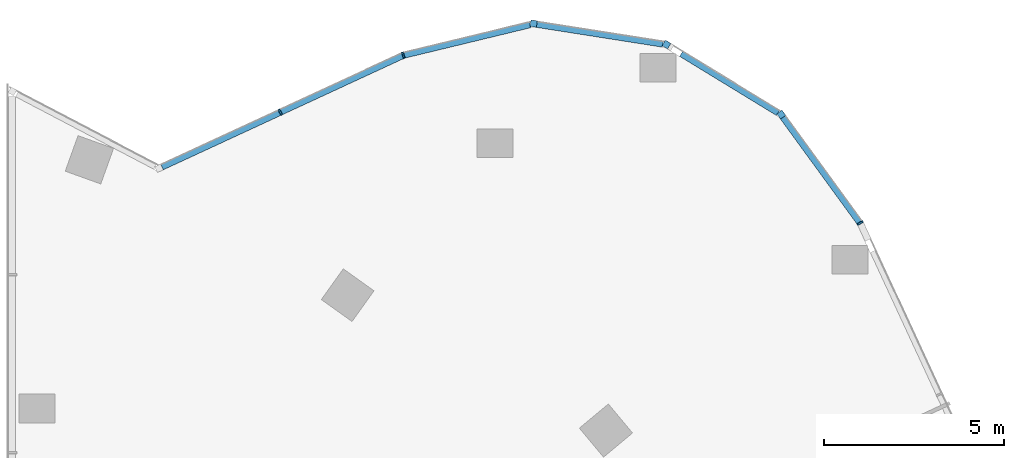
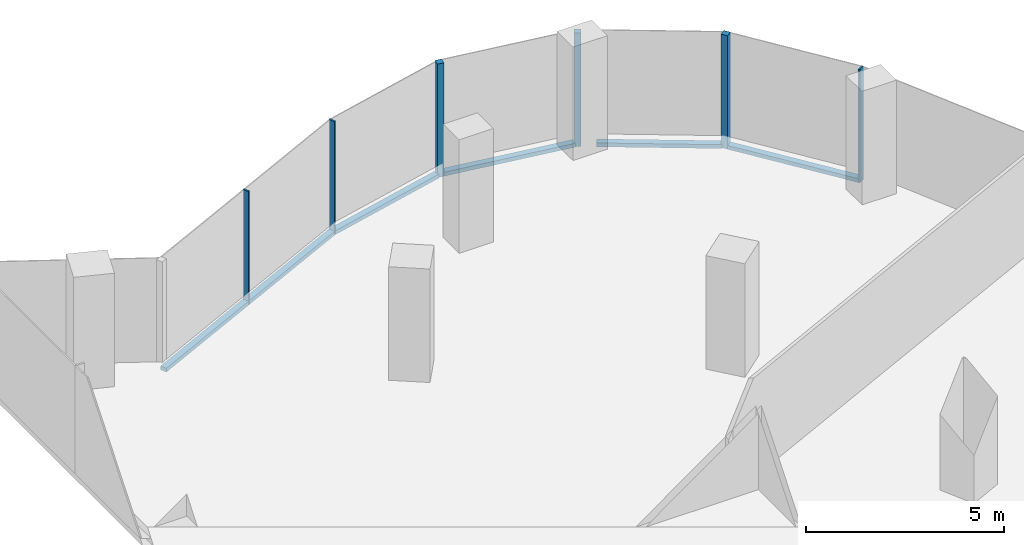
# One storey, part 11 of 23: 11 members, 6 elements without a shape of their own.
"""IFC4 building model written with IfcOpenShell, lengths in metres."""

from ifc_helpers import new_model, si_unit, direction, frame, origin, origin_2d, place, context, subcontext, project, spatial, rectangle, extrude, material, material_profile, profile_set, type_object, element, aggregate, save


model = new_model("IFC4")

# Units and contexts
model_context = context("Model", 3, precision=1e-05, world=origin(), true_north=direction((0.0, 1.0)))
body_context = subcontext(model_context, "Body", "Model", "MODEL_VIEW")
ifc_project = project(units=[si_unit("LENGTHUNIT", "METRE"), si_unit("AREAUNIT", "SQUARE_METRE"), si_unit("VOLUMEUNIT", "CUBIC_METRE"), si_unit("PLANEANGLEUNIT", "RADIAN"), si_unit("MASSUNIT", "GRAM", prefix="KILO")], contexts=[model_context])

# Site, building, storey
site_placement = place(None, origin())
site = spatial("IfcSite", under=ifc_project, at=site_placement, CompositionType="ELEMENT")
building_placement = place(site_placement, origin())
building = spatial("IfcBuilding", under=site, at=building_placement, Name="Orlundy Tower", CompositionType="ELEMENT")
storey_placement = place(building_placement, frame((0.0, 0.0, 264.0)))
storey = spatial("IfcBuildingStorey", under=building, at=storey_placement, Name="L70", CompositionType="ELEMENT", Elevation=264.0)

# Curtain wall, member
ifc_material_1 = material(Name="Aluminium bronze anodised", Category="aluminium")
curtain_wall_type = type_object("IfcCurtainWallType", Name="CW1 wall", PredefinedType="NOTDEFINED", material=ifc_material_1)
curtain_wall_1_placement = place(storey_placement, origin())
curtain_wall_1 = element("IfcCurtainWall", 1, at=curtain_wall_1_placement, inside=storey, type_object=curtain_wall_type, Name="CW1 run 12", PredefinedType="NOTDEFINED")
ifc_material_2 = material(Name="Aluminium bronze anodised", Category="aluminium")
ifc_material_profile_1 = material_profile(ifc_material_2, rectangle(XDim=0.179931640625, YDim=0.179931640625, at=origin_2d()), Name="CW1 corner post 180x180")
ifc_profile_set_1 = profile_set([ifc_material_profile_1], Name="Aluminium bronze anodised")
member_type_1 = type_object("IfcMemberType", Name="CW1 corner post 180x180", PredefinedType="MULLION", material=ifc_profile_set_1)
member_1_placement = place(storey_placement, frame((22.42529296875, 31.712646484375, -0.39990234375), z_axis=(0.0, 0.0, 1.0), x_axis=(0.15511748157, 0.987896030416, 0.0)))
member_1 = element("IfcMember", 2, at=member_1_placement, type_object=member_type_1, Name="CW1 mullion 4", PredefinedType="MULLION", context=body_context, shape_type="SweptSolid", body=[
    extrude(rectangle(XDim=0.179931640625, YDim=0.179931640625, at=origin_2d()), origin(), (0.0, 0.0, 1.0), 3.5),
])

curtain_wall_2_placement = place(storey_placement, origin())
curtain_wall_2 = element("IfcCurtainWall", 3, at=curtain_wall_2_placement, inside=storey, type_object=curtain_wall_type, Name="CW1 run 13", PredefinedType="NOTDEFINED")
member_2_placement = place(storey_placement, frame((26.12255859375, 31.132080078125, -0.39990234375), z_axis=(0.0, 0.0, 1.0), x_axis=(0.521144468768, 0.853468477843, 0.0)))
member_2 = element("IfcMember", 4, at=member_2_placement, type_object=member_type_1, Name="CW1 mullion 5", PredefinedType="MULLION", context=body_context, shape_type="SweptSolid", body=[
    extrude(rectangle(XDim=0.179931640625, YDim=0.179931640625, at=origin_2d()), origin(), (0.0, 0.0, 1.0), 3.5),
])

curtain_wall_3_placement = place(storey_placement, origin())
curtain_wall_3 = element("IfcCurtainWall", 5, at=curtain_wall_3_placement, inside=storey, type_object=curtain_wall_type, Name="CW1 run 14", PredefinedType="NOTDEFINED")
member_3_placement = place(storey_placement, frame((29.317138671875, 29.181396484375, -0.39990234375), z_axis=(0.0, 0.0, 1.0), x_axis=(0.80821081742, 0.588893262489, 0.0)))
member_3 = element("IfcMember", 6, at=member_3_placement, type_object=member_type_1, Name="CW1 mullion 6", PredefinedType="MULLION", context=body_context, shape_type="SweptSolid", body=[
    extrude(rectangle(XDim=0.179931640625, YDim=0.179931640625, at=origin_2d()), origin(), (0.0, 0.0, 1.0), 3.5),
])

curtain_wall_4_placement = place(storey_placement, origin())
curtain_wall_4 = element("IfcCurtainWall", 7, at=curtain_wall_4_placement, inside=storey, type_object=curtain_wall_type, Name="CW1 run 10", PredefinedType="NOTDEFINED")
ifc_material_3 = material(Name="Aluminium bronze anodised", Category="aluminium")
ifc_material_profile_2 = material_profile(ifc_material_3, rectangle(XDim=0.179931640625, YDim=0.050048828125, at=origin_2d()), Name="CW1 mullion 50x180")
ifc_profile_set_2 = profile_set([ifc_material_profile_2], Name="Aluminium bronze anodised")
member_type_2 = type_object("IfcMemberType", Name="CW1 mullion 50x180", PredefinedType="MULLION", material=ifc_profile_set_2)
member_4_placement = place(storey_placement, frame((15.37060546875, 29.250244140625, -0.39990234375), z_axis=(0.0, 0.0, 1.0), x_axis=(-0.419975748486, 0.907535327513, 0.0)))
member_4 = element("IfcMember", 8, at=member_4_placement, type_object=member_type_2, Name="CW1 mullion 2", PredefinedType="MULLION", context=body_context, shape_type="SweptSolid", body=[
    extrude(rectangle(XDim=0.179931640625, YDim=0.050048828125, at=origin_2d()), origin(), (0.0, 0.0, 1.0), 3.5),
])

curtain_wall_5_placement = place(storey_placement, origin())
curtain_wall_5 = element("IfcCurtainWall", 9, at=curtain_wall_5_placement, inside=storey, type_object=curtain_wall_type, Name="CW1 run 11", PredefinedType="NOTDEFINED")
member_5_placement = place(storey_placement, frame((18.796142578125, 30.83544921875, -0.39990234375), z_axis=(0.0, 0.0, 1.0), x_axis=(-0.329057666512, 0.944309828451, 0.0)))
member_5 = element("IfcMember", 10, at=member_5_placement, type_object=member_type_2, Name="CW1 mullion 3", PredefinedType="MULLION", context=body_context, shape_type="SweptSolid", body=[
    extrude(rectangle(XDim=0.179931640625, YDim=0.050048828125, at=origin_2d()), origin(), (0.0, 0.0, 1.0), 3.5),
])

curtain_wall_6_placement = place(storey_placement, origin())
curtain_wall_6 = element("IfcCurtainWall", 11, at=curtain_wall_6_placement, inside=storey, type_object=curtain_wall_type, Name="CW1 run 15", PredefinedType="NOTDEFINED")
member_6_placement = place(storey_placement, frame((31.515869140625, 26.163818359375, -0.39990234375), z_axis=(0.0, 0.0, 1.0), x_axis=(0.862024734365, 0.50686621247, 0.0)))
member_6 = element("IfcMember", 12, at=member_6_placement, type_object=member_type_2, Name="CW1 mullion 7", PredefinedType="MULLION", context=body_context, shape_type="SweptSolid", body=[
    extrude(rectangle(XDim=0.179931640625, YDim=0.050048828125, at=origin_2d()), origin(), (0.0, 0.0, 1.0), 3.5),
])
aggregate(curtain_wall_6, [member_6])

# Member
ifc_material_4 = material(Name="Aluminium bronze anodised", Category="aluminium")
ifc_material_profile_3 = material_profile(ifc_material_4, rectangle(XDim=0.179931640625, YDim=0.1201171875, at=origin_2d()), Name="CW1 transom 180x120")
ifc_profile_set_3 = profile_set([ifc_material_profile_3], Name="Aluminium bronze anodised")
member_type_3 = type_object("IfcMemberType", Name="CW1 transom 180x120", PredefinedType="USERDEFINED", material=ifc_profile_set_3)
member_7_placement = place(storey_placement, frame((12.0751953125, 27.72509765625, -0.340087890625), z_axis=(0.907528083861, 0.419991401107, 0.0), x_axis=(-0.419991401107, 0.907528083861, 0.0)))
member_7 = element("IfcMember", 13, at=member_7_placement, type_object=member_type_3, Name="CW1 transom", ObjectType="TRANSOM", PredefinedType="USERDEFINED", context=body_context, shape_type="SweptSolid", body=[
    extrude(rectangle(XDim=0.179931640625, YDim=0.1201171875, at=origin_2d()), origin(), (0.0, 0.0, 1.0), 7.380859375),
])

aggregate(curtain_wall_4, [member_4, member_7])

member_8_placement = place(storey_placement, frame((18.820556640625, 30.84130859375, -0.340087890625), z_axis=(0.972009843916, 0.23494012712, 0.0), x_axis=(-0.23494012712, 0.972009843916, 0.0)))
member_8 = element("IfcMember", 14, at=member_8_placement, type_object=member_type_3, Name="CW1 transom", ObjectType="TRANSOM", PredefinedType="USERDEFINED", context=body_context, shape_type="SweptSolid", body=[
    extrude(rectangle(XDim=0.179931640625, YDim=0.1201171875, at=origin_2d()), origin(), (0.0, 0.0, 1.0), 3.611083984375),
])

aggregate(curtain_wall_5, [member_5, member_8])

member_9_placement = place(storey_placement, frame((22.51416015625, 31.69873046875, -0.340087890625), z_axis=(0.987894570591, -0.155126778463, 0.0), x_axis=(0.155126778463, 0.987894570591, 0.0)))
member_9 = element("IfcMember", 15, at=member_9_placement, type_object=member_type_3, Name="CW1 transom", ObjectType="TRANSOM", PredefinedType="USERDEFINED", context=body_context, shape_type="SweptSolid", body=[
    extrude(rectangle(XDim=0.179931640625, YDim=0.1201171875, at=origin_2d()), origin(), (0.0, 0.0, 1.0), 3.55517578125),
])

aggregate(curtain_wall_1, [member_1, member_9])

member_10_placement = place(storey_placement, frame((26.534912109375, 30.88037109375, -0.340087890625), z_axis=(0.85346878169, -0.521143971164, 0.0), x_axis=(0.521143971164, 0.85346878169, 0.0)))
member_10 = element("IfcMember", 16, at=member_10_placement, type_object=member_type_3, Name="CW1 transom", ObjectType="TRANSOM", PredefinedType="USERDEFINED", context=body_context, shape_type="SweptSolid", body=[
    extrude(rectangle(XDim=0.179931640625, YDim=0.1201171875, at=origin_2d()), origin(), (0.0, 0.0, 1.0), 3.16259765625),
])

aggregate(curtain_wall_2, [member_2, member_10])

member_11_placement = place(storey_placement, frame((29.3701171875, 29.108642578125, -0.340087890625), z_axis=(0.588921607505, -0.808190163398, 0.0), x_axis=(0.808190163398, 0.588921607505, 0.0)))
member_11 = element("IfcMember", 17, at=member_11_placement, type_object=member_type_3, Name="CW1 transom", ObjectType="TRANSOM", PredefinedType="USERDEFINED", context=body_context, shape_type="SweptSolid", body=[
    extrude(rectangle(XDim=0.179931640625, YDim=0.1201171875, at=origin_2d()), origin(), (0.0, 0.0, 1.0), 3.61865234375),
])

aggregate(curtain_wall_3, [member_3, member_11])

save(model, "model.ifc")
